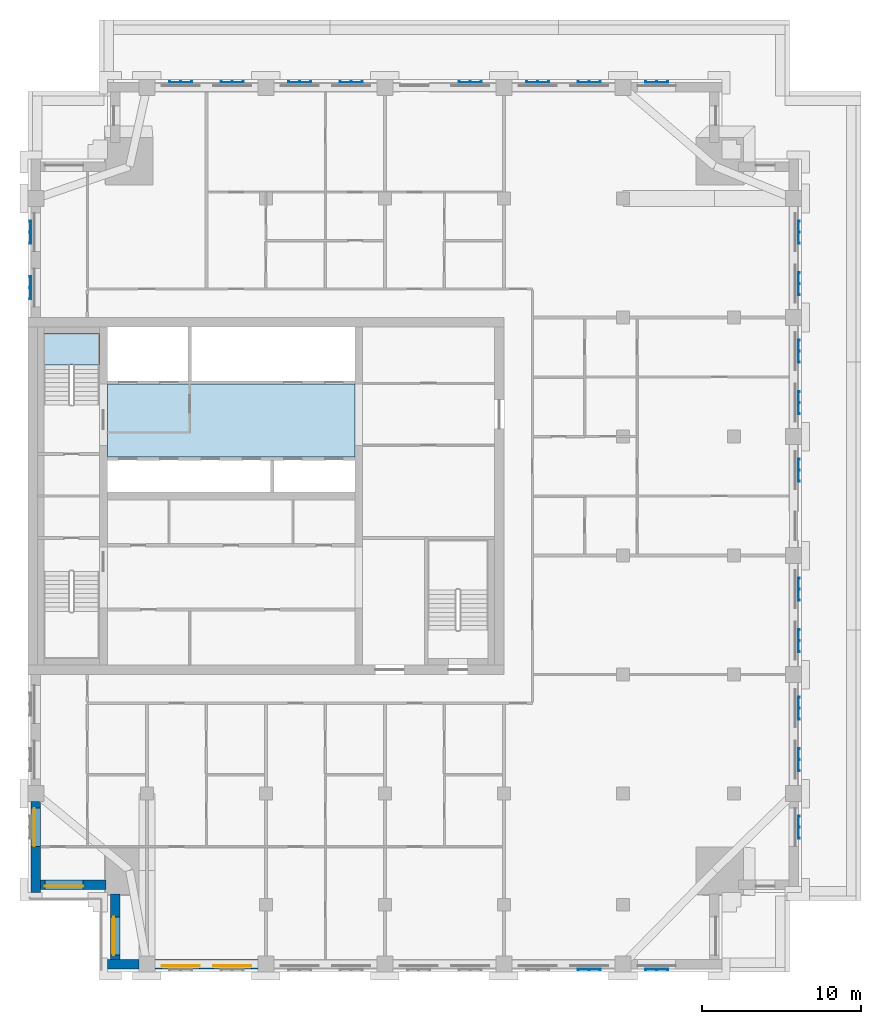
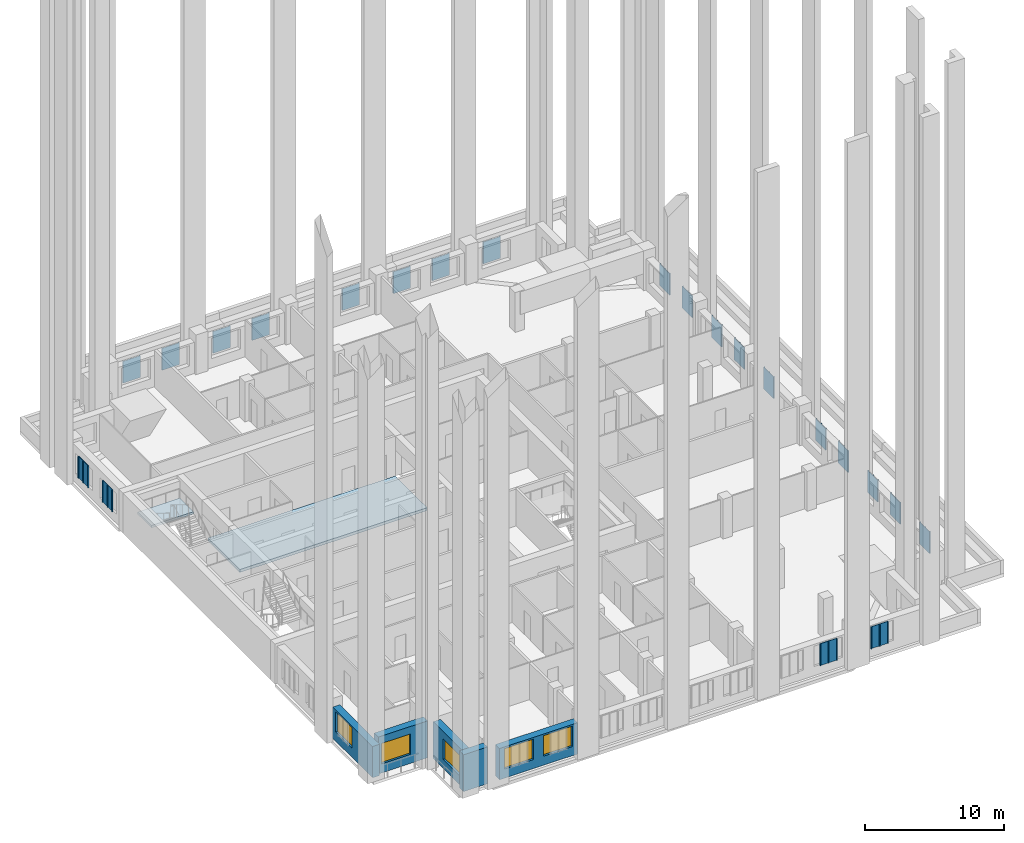
# One storey, part 2 of 12: 22 plates, 5 walls, 5 windows, 2 slabs, 5 openings, 1 element without a shape of its own.
"""IFC4 building model written with IfcOpenShell, lengths in metres."""

from ifc_helpers import new_model, si_unit, direction, frame, frame_2d, origin, place, context, subcontext, project, spatial, polyline, rectangle, outline, extrude, material, layer, layer_set, type_object, element, fill, aggregate, save


model = new_model("IFC4")

# Units and contexts
model_context = context("Model", 3, precision=1e-05, world=origin(), true_north=direction((0.0, 1.0)))
body_context = subcontext(model_context, "Body", "Model", "MODEL_VIEW")
ifc_project = project(units=[si_unit("LENGTHUNIT", "METRE"), si_unit("AREAUNIT", "SQUARE_METRE"), si_unit("VOLUMEUNIT", "CUBIC_METRE"), si_unit("PLANEANGLEUNIT", "RADIAN"), si_unit("MASSUNIT", "GRAM", prefix="KILO")], contexts=[model_context])

# Site, building, storey
site_placement = place(None, origin())
site = spatial("IfcSite", under=ifc_project, at=site_placement, CompositionType="ELEMENT")
building_placement = place(site_placement, origin())
building = spatial("IfcBuilding", under=site, at=building_placement, Name="Tamorin Gate", CompositionType="ELEMENT")
storey_placement = place(building_placement, frame((0.0, 0.0, 219.699951171875)))
storey = spatial("IfcBuildingStorey", under=building, at=storey_placement, Name="L54", CompositionType="ELEMENT", Elevation=219.699951171875)

# Slab
ifc_material_1 = material(Name="Concrete C40/50", Category="concrete")
ifc_layer_1 = layer(ifc_material_1, 0.25)
ifc_layer_set_1 = layer_set([ifc_layer_1], Name="Core floor slab 250 C40/50")
slab_type_1 = type_object("IfcSlabType", Name="Core floor slab 250 C40/50", PredefinedType="FLOOR", material=ifc_layer_set_1)
slab_1_placement = place(storey_placement, frame((0.0, 0.0, -0.25)))
element("IfcSlab", 1, at=slab_1_placement, inside=storey, type_object=slab_type_1, Name="Core floor L54", PredefinedType="FLOOR", context=body_context, shape_type="SweptSolid", body=[
    extrude(outline(polyline([(50.60009765625, 73.699951171875), (35.0, 73.699951171875), (35.0, 78.300048828125), (50.60009765625, 78.300048828125), (50.60009765625, 73.699951171875)])), origin(), (0.0, 0.0, 1.0), 0.25),
])

# Stair, slab
stair_type = type_object("IfcStairType", Name="Exit stair", PredefinedType="HALF_TURN_STAIR", material=ifc_material_1)
stair_placement = place(storey_placement, origin())
stair = element("IfcStair", 2, at=stair_placement, inside=storey, type_object=stair_type, Name="L54 stair ST2", PredefinedType="HALF_TURN_STAIR")
ifc_layer_2 = layer(ifc_material_1, 0.199951171875)
ifc_layer_set_2 = layer_set([ifc_layer_2], Name="Exit stair landing 200")
slab_type_2 = type_object("IfcSlabType", Name="Exit stair landing 200", PredefinedType="LANDING", material=ifc_layer_set_2)
slab_2_placement = place(storey_placement, frame((0.0, 0.0, 1.550048828125)))
slab_2 = element("IfcSlab", 3, at=slab_2_placement, type_object=slab_type_2, Name="ST2 landing 1", PredefinedType="LANDING", context=body_context, shape_type="SweptSolid", body=[
    extrude(outline(polyline([(34.5, 79.52001953125), (34.5, 81.5), (31.0, 81.5), (31.0, 79.52001953125), (34.5, 79.52001953125)])), origin(), (0.0, 0.0, 1.0), 0.199951171875),
])
aggregate(stair, [slab_2])

# Plates
ifc_material_2 = material(Name="Perforated pale aluminium sheet", Category="aluminium")
ifc_layer_3 = layer(ifc_material_2, 0.0400390625)
ifc_layer_set_3 = layer_set([ifc_layer_3], Name="Pale metal solar screen 1440")
plate_type = type_object("IfcPlateType", Name="Pale metal solar screen 1440", PredefinedType="SHEET", material=ifc_layer_set_3)
plate_1_placement = place(storey_placement, frame((0.0, 0.0, 0.737548828125)))
element("IfcPlate", 4, at=plate_1_placement, inside=storey, type_object=plate_type, Name="Perforated solar screen", PredefinedType="SHEET", context=body_context, shape_type="SweptSolid", body=[
    extrude(outline(polyline([(64.655029296875, 41.409912109375), (64.655029296875, 41.449951171875), (64.715087890625, 41.449951171875), (65.344970703125, 41.449951171875), (65.405029296875, 41.449951171875), (66.034912109375, 41.449951171875), (66.094970703125, 41.449951171875), (66.094970703125, 41.409912109375), (66.094970703125, 41.35009765625), (66.034912109375, 41.35009765625), (66.034912109375, 41.409912109375), (65.405029296875, 41.409912109375), (65.405029296875, 41.35009765625), (65.344970703125, 41.35009765625), (65.344970703125, 41.409912109375), (64.715087890625, 41.409912109375), (64.715087890625, 41.35009765625), (64.655029296875, 41.35009765625), (64.655029296875, 41.409912109375)])), origin(), (0.0, 0.0, 1.0), 1.925048828125),
])
plate_2_placement = place(storey_placement, frame((0.0, 0.0, 0.737548828125)))
element("IfcPlate", 5, at=plate_2_placement, inside=storey, type_object=plate_type, Name="Perforated solar screen", PredefinedType="SHEET", context=body_context, shape_type="SweptSolid", body=[
    extrude(outline(polyline([(68.905029296875, 41.409912109375), (68.905029296875, 41.449951171875), (68.965087890625, 41.449951171875), (69.594970703125, 41.449951171875), (69.655029296875, 41.449951171875), (70.284912109375, 41.449951171875), (70.344970703125, 41.449951171875), (70.344970703125, 41.409912109375), (70.344970703125, 41.35009765625), (70.284912109375, 41.35009765625), (70.284912109375, 41.409912109375), (69.655029296875, 41.409912109375), (69.655029296875, 41.35009765625), (69.594970703125, 41.35009765625), (69.594970703125, 41.409912109375), (68.965087890625, 41.409912109375), (68.965087890625, 41.35009765625), (68.905029296875, 41.35009765625), (68.905029296875, 41.409912109375)])), origin(), (0.0, 0.0, 1.0), 1.925048828125),
])
plate_3_placement = place(storey_placement, frame((0.0, 0.0, 0.737548828125)))
element("IfcPlate", 6, at=plate_3_placement, inside=storey, type_object=plate_type, Name="Perforated solar screen", PredefinedType="SHEET", context=body_context, shape_type="SweptSolid", body=[
    extrude(outline(polyline([(78.590087890625, 49.655029296875), (78.550048828125, 49.655029296875), (78.550048828125, 49.715087890625), (78.550048828125, 50.344970703125), (78.550048828125, 50.405029296875), (78.550048828125, 51.034912109375), (78.550048828125, 51.094970703125), (78.550048828125, 51.094970703125), (78.590087890625, 51.094970703125), (78.590087890625, 51.094970703125), (78.64990234375, 51.094970703125), (78.64990234375, 51.034912109375), (78.590087890625, 51.034912109375), (78.590087890625, 50.405029296875), (78.64990234375, 50.405029296875), (78.64990234375, 50.344970703125), (78.590087890625, 50.344970703125), (78.590087890625, 49.715087890625), (78.64990234375, 49.715087890625), (78.64990234375, 49.655029296875), (78.590087890625, 49.655029296875)])), origin(), (0.0, 0.0, 1.0), 1.925048828125),
])
plate_4_placement = place(storey_placement, frame((0.0, 0.0, 0.737548828125)))
element("IfcPlate", 7, at=plate_4_placement, inside=storey, type_object=plate_type, Name="Perforated solar screen", PredefinedType="SHEET", context=body_context, shape_type="SweptSolid", body=[
    extrude(outline(polyline([(78.590087890625, 53.905029296875), (78.550048828125, 53.905029296875), (78.550048828125, 53.965087890625), (78.550048828125, 54.594970703125), (78.550048828125, 54.655029296875), (78.550048828125, 55.284912109375), (78.550048828125, 55.344970703125), (78.590087890625, 55.344970703125), (78.64990234375, 55.344970703125), (78.64990234375, 55.284912109375), (78.590087890625, 55.284912109375), (78.590087890625, 54.655029296875), (78.64990234375, 54.655029296875), (78.64990234375, 54.594970703125), (78.590087890625, 54.594970703125), (78.590087890625, 53.965087890625), (78.64990234375, 53.965087890625), (78.64990234375, 53.905029296875), (78.590087890625, 53.905029296875)])), origin(), (0.0, 0.0, 1.0), 1.925048828125),
])
plate_5_placement = place(storey_placement, frame((0.0, 0.0, 0.737548828125)))
element("IfcPlate", 8, at=plate_5_placement, inside=storey, type_object=plate_type, Name="Perforated solar screen", PredefinedType="SHEET", context=body_context, shape_type="SweptSolid", body=[
    extrude(outline(polyline([(78.590087890625, 57.155029296875), (78.550048828125, 57.155029296875), (78.550048828125, 57.215087890625), (78.550048828125, 57.844970703125), (78.550048828125, 57.905029296875), (78.550048828125, 58.534912109375), (78.550048828125, 58.594970703125), (78.590087890625, 58.594970703125), (78.64990234375, 58.594970703125), (78.64990234375, 58.534912109375), (78.590087890625, 58.534912109375), (78.590087890625, 57.905029296875), (78.64990234375, 57.905029296875), (78.64990234375, 57.844970703125), (78.590087890625, 57.844970703125), (78.590087890625, 57.215087890625), (78.64990234375, 57.215087890625), (78.64990234375, 57.155029296875), (78.590087890625, 57.155029296875)])), origin(), (0.0, 0.0, 1.0), 1.925048828125),
])
plate_6_placement = place(storey_placement, frame((0.0, 0.0, 0.737548828125)))
element("IfcPlate", 9, at=plate_6_placement, inside=storey, type_object=plate_type, Name="Perforated solar screen", PredefinedType="SHEET", context=body_context, shape_type="SweptSolid", body=[
    extrude(outline(polyline([(78.590087890625, 61.405029296875), (78.550048828125, 61.405029296875), (78.550048828125, 61.465087890625), (78.550048828125, 62.094970703125), (78.550048828125, 62.155029296875), (78.550048828125, 62.784912109375), (78.550048828125, 62.844970703125), (78.590087890625, 62.844970703125), (78.64990234375, 62.844970703125), (78.64990234375, 62.784912109375), (78.590087890625, 62.784912109375), (78.590087890625, 62.155029296875), (78.64990234375, 62.155029296875), (78.64990234375, 62.094970703125), (78.590087890625, 62.094970703125), (78.590087890625, 61.465087890625), (78.64990234375, 61.465087890625), (78.64990234375, 61.405029296875), (78.590087890625, 61.405029296875)])), origin(), (0.0, 0.0, 1.0), 1.925048828125),
])
plate_7_placement = place(storey_placement, frame((0.0, 0.0, 0.737548828125)))
element("IfcPlate", 10, at=plate_7_placement, inside=storey, type_object=plate_type, Name="Perforated solar screen", PredefinedType="SHEET", context=body_context, shape_type="SweptSolid", body=[
    extrude(outline(polyline([(78.590087890625, 64.655029296875), (78.550048828125, 64.655029296875), (78.550048828125, 64.715087890625), (78.550048828125, 65.344970703125), (78.550048828125, 65.405029296875), (78.550048828125, 66.034912109375), (78.550048828125, 66.094970703125), (78.590087890625, 66.094970703125), (78.64990234375, 66.094970703125), (78.64990234375, 66.034912109375), (78.590087890625, 66.034912109375), (78.590087890625, 65.405029296875), (78.64990234375, 65.405029296875), (78.64990234375, 65.344970703125), (78.590087890625, 65.344970703125), (78.590087890625, 64.715087890625), (78.64990234375, 64.715087890625), (78.64990234375, 64.655029296875), (78.590087890625, 64.655029296875)])), origin(), (0.0, 0.0, 1.0), 1.925048828125),
])
plate_8_placement = place(storey_placement, frame((0.0, 0.0, 0.737548828125)))
element("IfcPlate", 11, at=plate_8_placement, inside=storey, type_object=plate_type, Name="Perforated solar screen", PredefinedType="SHEET", context=body_context, shape_type="SweptSolid", body=[
    extrude(outline(polyline([(78.590087890625, 72.155029296875), (78.550048828125, 72.155029296875), (78.550048828125, 72.215087890625), (78.550048828125, 72.844970703125), (78.550048828125, 72.905029296875), (78.550048828125, 73.534912109375), (78.550048828125, 73.594970703125), (78.590087890625, 73.594970703125), (78.64990234375, 73.594970703125), (78.64990234375, 73.534912109375), (78.590087890625, 73.534912109375), (78.590087890625, 72.905029296875), (78.64990234375, 72.905029296875), (78.64990234375, 72.844970703125), (78.590087890625, 72.844970703125), (78.590087890625, 72.215087890625), (78.64990234375, 72.215087890625), (78.64990234375, 72.155029296875), (78.590087890625, 72.155029296875)])), origin(), (0.0, 0.0, 1.0), 1.925048828125),
])
plate_9_placement = place(storey_placement, frame((0.0, 0.0, 0.737548828125)))
element("IfcPlate", 12, at=plate_9_placement, inside=storey, type_object=plate_type, Name="Perforated solar screen", PredefinedType="SHEET", context=body_context, shape_type="SweptSolid", body=[
    extrude(outline(polyline([(78.590087890625, 76.405029296875), (78.550048828125, 76.405029296875), (78.550048828125, 76.465087890625), (78.550048828125, 77.094970703125), (78.550048828125, 77.155029296875), (78.550048828125, 77.784912109375), (78.550048828125, 77.844970703125), (78.590087890625, 77.844970703125), (78.64990234375, 77.844970703125), (78.64990234375, 77.784912109375), (78.590087890625, 77.784912109375), (78.590087890625, 77.155029296875), (78.64990234375, 77.155029296875), (78.64990234375, 77.094970703125), (78.590087890625, 77.094970703125), (78.590087890625, 76.465087890625), (78.64990234375, 76.465087890625), (78.64990234375, 76.405029296875), (78.590087890625, 76.405029296875)])), origin(), (0.0, 0.0, 1.0), 1.925048828125),
])
plate_10_placement = place(storey_placement, frame((0.0, 0.0, 0.737548828125)))
element("IfcPlate", 13, at=plate_10_placement, inside=storey, type_object=plate_type, Name="Perforated solar screen", PredefinedType="SHEET", context=body_context, shape_type="SweptSolid", body=[
    extrude(outline(polyline([(78.590087890625, 79.655029296875), (78.550048828125, 79.655029296875), (78.550048828125, 79.715087890625), (78.550048828125, 80.344970703125), (78.550048828125, 80.405029296875), (78.550048828125, 81.034912109375), (78.550048828125, 81.094970703125), (78.590087890625, 81.094970703125), (78.64990234375, 81.094970703125), (78.64990234375, 81.034912109375), (78.590087890625, 81.034912109375), (78.590087890625, 80.405029296875), (78.64990234375, 80.405029296875), (78.64990234375, 80.344970703125), (78.590087890625, 80.344970703125), (78.590087890625, 79.715087890625), (78.64990234375, 79.715087890625), (78.64990234375, 79.655029296875), (78.590087890625, 79.655029296875)])), origin(), (0.0, 0.0, 1.0), 1.925048828125),
])
plate_11_placement = place(storey_placement, frame((0.0, 0.0, 0.737548828125)))
element("IfcPlate", 14, at=plate_11_placement, inside=storey, type_object=plate_type, Name="Perforated solar screen", PredefinedType="SHEET", context=body_context, shape_type="SweptSolid", body=[
    extrude(outline(polyline([(78.590087890625, 83.905029296875), (78.550048828125, 83.905029296875), (78.550048828125, 83.965087890625), (78.550048828125, 84.594970703125), (78.550048828125, 84.655029296875), (78.550048828125, 85.284912109375), (78.550048828125, 85.344970703125), (78.590087890625, 85.344970703125), (78.64990234375, 85.344970703125), (78.64990234375, 85.284912109375), (78.590087890625, 85.284912109375), (78.590087890625, 84.655029296875), (78.64990234375, 84.655029296875), (78.64990234375, 84.594970703125), (78.590087890625, 84.594970703125), (78.590087890625, 83.965087890625), (78.64990234375, 83.965087890625), (78.64990234375, 83.905029296875), (78.590087890625, 83.905029296875)])), origin(), (0.0, 0.0, 1.0), 1.925048828125),
])
plate_12_placement = place(storey_placement, frame((0.0, 0.0, 0.737548828125)))
element("IfcPlate", 15, at=plate_12_placement, inside=storey, type_object=plate_type, Name="Perforated solar screen", PredefinedType="SHEET", context=body_context, shape_type="SweptSolid", body=[
    extrude(outline(polyline([(78.590087890625, 87.155029296875), (78.550048828125, 87.155029296875), (78.550048828125, 87.215087890625), (78.550048828125, 87.844970703125), (78.550048828125, 87.905029296875), (78.550048828125, 88.534912109375), (78.550048828125, 88.594970703125), (78.590087890625, 88.594970703125), (78.64990234375, 88.594970703125), (78.64990234375, 88.534912109375), (78.590087890625, 88.534912109375), (78.590087890625, 87.905029296875), (78.64990234375, 87.905029296875), (78.64990234375, 87.844970703125), (78.590087890625, 87.844970703125), (78.590087890625, 87.215087890625), (78.64990234375, 87.215087890625), (78.64990234375, 87.155029296875), (78.590087890625, 87.155029296875)])), origin(), (0.0, 0.0, 1.0), 1.925048828125),
])
plate_13_placement = place(storey_placement, frame((0.0, 0.0, 0.737548828125)))
element("IfcPlate", 16, at=plate_13_placement, inside=storey, type_object=plate_type, Name="Perforated solar screen", PredefinedType="SHEET", context=body_context, shape_type="SweptSolid", body=[
    extrude(outline(polyline([(70.344970703125, 97.340087890625), (70.344970703125, 97.300048828125), (70.284912109375, 97.300048828125), (69.655029296875, 97.300048828125), (69.594970703125, 97.300048828125), (68.965087890625, 97.300048828125), (68.905029296875, 97.300048828125), (68.905029296875, 97.300048828125), (68.905029296875, 97.340087890625), (68.905029296875, 97.340087890625), (68.905029296875, 97.39990234375), (68.965087890625, 97.39990234375), (68.965087890625, 97.340087890625), (69.594970703125, 97.340087890625), (69.594970703125, 97.39990234375), (69.655029296875, 97.39990234375), (69.655029296875, 97.340087890625), (70.284912109375, 97.340087890625), (70.284912109375, 97.39990234375), (70.344970703125, 97.39990234375), (70.344970703125, 97.340087890625)])), origin(), (0.0, 0.0, 1.0), 1.925048828125),
])
plate_14_placement = place(storey_placement, frame((0.0, 0.0, 0.737548828125)))
element("IfcPlate", 17, at=plate_14_placement, inside=storey, type_object=plate_type, Name="Perforated solar screen", PredefinedType="SHEET", context=body_context, shape_type="SweptSolid", body=[
    extrude(outline(polyline([(62.844970703125, 97.340087890625), (62.844970703125, 97.300048828125), (62.784912109375, 97.300048828125), (62.155029296875, 97.300048828125), (62.094970703125, 97.300048828125), (61.465087890625, 97.300048828125), (61.405029296875, 97.300048828125), (61.405029296875, 97.340087890625), (61.405029296875, 97.39990234375), (61.465087890625, 97.39990234375), (61.465087890625, 97.340087890625), (62.094970703125, 97.340087890625), (62.094970703125, 97.39990234375), (62.155029296875, 97.39990234375), (62.155029296875, 97.340087890625), (62.784912109375, 97.340087890625), (62.784912109375, 97.39990234375), (62.844970703125, 97.39990234375), (62.844970703125, 97.340087890625)])), origin(), (0.0, 0.0, 1.0), 1.925048828125),
])
plate_15_placement = place(storey_placement, frame((0.0, 0.0, 0.737548828125)))
element("IfcPlate", 18, at=plate_15_placement, inside=storey, type_object=plate_type, Name="Perforated solar screen", PredefinedType="SHEET", context=body_context, shape_type="SweptSolid", body=[
    extrude(outline(polyline([(66.094970703125, 97.340087890625), (66.094970703125, 97.300048828125), (66.034912109375, 97.300048828125), (65.405029296875, 97.300048828125), (65.344970703125, 97.300048828125), (64.715087890625, 97.300048828125), (64.655029296875, 97.300048828125), (64.655029296875, 97.340087890625), (64.655029296875, 97.39990234375), (64.715087890625, 97.39990234375), (64.715087890625, 97.340087890625), (65.344970703125, 97.340087890625), (65.344970703125, 97.39990234375), (65.405029296875, 97.39990234375), (65.405029296875, 97.340087890625), (66.034912109375, 97.340087890625), (66.034912109375, 97.39990234375), (66.094970703125, 97.39990234375), (66.094970703125, 97.340087890625)])), origin(), (0.0, 0.0, 1.0), 1.925048828125),
])
plate_16_placement = place(storey_placement, frame((0.0, 0.0, 0.737548828125)))
element("IfcPlate", 19, at=plate_16_placement, inside=storey, type_object=plate_type, Name="Perforated solar screen", PredefinedType="SHEET", context=body_context, shape_type="SweptSolid", body=[
    extrude(outline(polyline([(58.594970703125, 97.340087890625), (58.594970703125, 97.300048828125), (58.534912109375, 97.300048828125), (57.905029296875, 97.300048828125), (57.844970703125, 97.300048828125), (57.215087890625, 97.300048828125), (57.155029296875, 97.300048828125), (57.155029296875, 97.340087890625), (57.155029296875, 97.39990234375), (57.215087890625, 97.39990234375), (57.215087890625, 97.340087890625), (57.844970703125, 97.340087890625), (57.844970703125, 97.39990234375), (57.905029296875, 97.39990234375), (57.905029296875, 97.340087890625), (58.534912109375, 97.340087890625), (58.534912109375, 97.39990234375), (58.594970703125, 97.39990234375), (58.594970703125, 97.340087890625)])), origin(), (0.0, 0.0, 1.0), 1.925048828125),
])
plate_17_placement = place(storey_placement, frame((0.0, 0.0, 0.737548828125)))
element("IfcPlate", 20, at=plate_17_placement, inside=storey, type_object=plate_type, Name="Perforated solar screen", PredefinedType="SHEET", context=body_context, shape_type="SweptSolid", body=[
    extrude(outline(polyline([(47.844970703125, 97.340087890625), (47.844970703125, 97.300048828125), (47.784912109375, 97.300048828125), (47.155029296875, 97.300048828125), (47.094970703125, 97.300048828125), (46.465087890625, 97.300048828125), (46.405029296875, 97.300048828125), (46.405029296875, 97.340087890625), (46.405029296875, 97.39990234375), (46.465087890625, 97.39990234375), (46.465087890625, 97.340087890625), (47.094970703125, 97.340087890625), (47.094970703125, 97.39990234375), (47.155029296875, 97.39990234375), (47.155029296875, 97.340087890625), (47.784912109375, 97.340087890625), (47.784912109375, 97.39990234375), (47.844970703125, 97.39990234375), (47.844970703125, 97.340087890625)])), origin(), (0.0, 0.0, 1.0), 1.925048828125),
])
plate_18_placement = place(storey_placement, frame((0.0, 0.0, 0.737548828125)))
element("IfcPlate", 21, at=plate_18_placement, inside=storey, type_object=plate_type, Name="Perforated solar screen", PredefinedType="SHEET", context=body_context, shape_type="SweptSolid", body=[
    extrude(outline(polyline([(51.094970703125, 97.340087890625), (51.094970703125, 97.300048828125), (51.034912109375, 97.300048828125), (50.405029296875, 97.300048828125), (50.344970703125, 97.300048828125), (49.715087890625, 97.300048828125), (49.655029296875, 97.300048828125), (49.655029296875, 97.340087890625), (49.655029296875, 97.39990234375), (49.715087890625, 97.39990234375), (49.715087890625, 97.340087890625), (50.344970703125, 97.340087890625), (50.344970703125, 97.39990234375), (50.405029296875, 97.39990234375), (50.405029296875, 97.340087890625), (51.034912109375, 97.340087890625), (51.034912109375, 97.39990234375), (51.094970703125, 97.39990234375), (51.094970703125, 97.340087890625)])), origin(), (0.0, 0.0, 1.0), 1.925048828125),
])
plate_19_placement = place(storey_placement, frame((0.0, 0.0, 0.737548828125)))
element("IfcPlate", 22, at=plate_19_placement, inside=storey, type_object=plate_type, Name="Perforated solar screen", PredefinedType="SHEET", context=body_context, shape_type="SweptSolid", body=[
    extrude(outline(polyline([(40.344970703125, 97.340087890625), (40.344970703125, 97.300048828125), (40.284912109375, 97.300048828125), (39.655029296875, 97.300048828125), (39.594970703125, 97.300048828125), (38.965087890625, 97.300048828125), (38.905029296875, 97.300048828125), (38.905029296875, 97.340087890625), (38.905029296875, 97.39990234375), (38.965087890625, 97.39990234375), (38.965087890625, 97.340087890625), (39.594970703125, 97.340087890625), (39.594970703125, 97.39990234375), (39.655029296875, 97.39990234375), (39.655029296875, 97.340087890625), (40.284912109375, 97.340087890625), (40.284912109375, 97.39990234375), (40.344970703125, 97.39990234375), (40.344970703125, 97.340087890625)])), origin(), (0.0, 0.0, 1.0), 1.925048828125),
])
plate_20_placement = place(storey_placement, frame((0.0, 0.0, 0.737548828125)))
element("IfcPlate", 23, at=plate_20_placement, inside=storey, type_object=plate_type, Name="Perforated solar screen", PredefinedType="SHEET", context=body_context, shape_type="SweptSolid", body=[
    extrude(outline(polyline([(43.594970703125, 97.340087890625), (43.594970703125, 97.300048828125), (43.534912109375, 97.300048828125), (42.905029296875, 97.300048828125), (42.844970703125, 97.300048828125), (42.215087890625, 97.300048828125), (42.155029296875, 97.300048828125), (42.155029296875, 97.340087890625), (42.155029296875, 97.39990234375), (42.215087890625, 97.39990234375), (42.215087890625, 97.340087890625), (42.844970703125, 97.340087890625), (42.844970703125, 97.39990234375), (42.905029296875, 97.39990234375), (42.905029296875, 97.340087890625), (43.534912109375, 97.340087890625), (43.534912109375, 97.39990234375), (43.594970703125, 97.39990234375), (43.594970703125, 97.340087890625)])), origin(), (0.0, 0.0, 1.0), 1.925048828125),
])
plate_21_placement = place(storey_placement, frame((0.0, 0.0, 0.737548828125)))
element("IfcPlate", 24, at=plate_21_placement, inside=storey, type_object=plate_type, Name="Perforated solar screen", PredefinedType="SHEET", context=body_context, shape_type="SweptSolid", body=[
    extrude(outline(polyline([(30.159912109375, 85.094970703125), (30.199951171875, 85.094970703125), (30.199951171875, 85.034912109375), (30.199951171875, 84.405029296875), (30.199951171875, 84.344970703125), (30.199951171875, 83.715087890625), (30.199951171875, 83.655029296875), (30.159912109375, 83.655029296875), (30.10009765625, 83.655029296875), (30.10009765625, 83.715087890625), (30.159912109375, 83.715087890625), (30.159912109375, 84.344970703125), (30.10009765625, 84.344970703125), (30.10009765625, 84.405029296875), (30.159912109375, 84.405029296875), (30.159912109375, 85.034912109375), (30.10009765625, 85.034912109375), (30.10009765625, 85.094970703125), (30.159912109375, 85.094970703125)])), origin(), (0.0, 0.0, 1.0), 1.925048828125),
])
plate_22_placement = place(storey_placement, frame((0.0, 0.0, 0.737548828125)))
element("IfcPlate", 25, at=plate_22_placement, inside=storey, type_object=plate_type, Name="Perforated solar screen", PredefinedType="SHEET", context=body_context, shape_type="SweptSolid", body=[
    extrude(outline(polyline([(30.159912109375, 88.594970703125), (30.199951171875, 88.594970703125), (30.199951171875, 88.534912109375), (30.199951171875, 87.905029296875), (30.199951171875, 87.844970703125), (30.199951171875, 87.215087890625), (30.199951171875, 87.155029296875), (30.199951171875, 87.155029296875), (30.159912109375, 87.155029296875), (30.159912109375, 87.155029296875), (30.10009765625, 87.155029296875), (30.10009765625, 87.215087890625), (30.159912109375, 87.215087890625), (30.159912109375, 87.844970703125), (30.10009765625, 87.844970703125), (30.10009765625, 87.905029296875), (30.159912109375, 87.905029296875), (30.159912109375, 88.534912109375), (30.10009765625, 88.534912109375), (30.10009765625, 88.594970703125), (30.159912109375, 88.594970703125)])), origin(), (0.0, 0.0, 1.0), 1.925048828125),
])

# Wall
ifc_material_3 = material(Name="Precast concrete C40/50", Category="concrete")
ifc_layer_4 = layer(ifc_material_3, 0.60009765625)
ifc_layer_set_4 = layer_set([ifc_layer_4], Name="Precast concrete C40/50")
wall_type = type_object("IfcWallType", Name="Board-marked concrete facade panel 600", PredefinedType="SOLIDWALL", material=ifc_layer_set_4)
wall_1_placement = place(storey_placement, frame((35.0, 41.75, 0.0), z_axis=(0.0, 0.0, 1.0), x_axis=(1.0, 0.0, 0.0)))
element("IfcWall", 26, at=wall_1_placement, inside=storey, type_object=wall_type, Name="Facade panel", PredefinedType="SOLIDWALL", context=body_context, shape_type="SweptSolid", body=[
    extrude(rectangle(XDim=2.0, YDim=0.60009765625, at=frame_2d((1.0, 0.0))), origin(), (0.0, 0.0, 1.0), 3.25),
])

# Wall, openings, windows
wall_2_placement = place(storey_placement, frame((38.0, 41.75, 0.0), z_axis=(0.0, 0.0, 1.0), x_axis=(1.0, 0.0, 0.0)))
wall_2 = element("IfcWall", 27, at=wall_2_placement, inside=storey, type_object=wall_type, Name="Facade panel", PredefinedType="SOLIDWALL", context=body_context, shape_type="SweptSolid", body=[
    extrude(rectangle(XDim=6.5, YDim=0.60009765625, at=frame_2d((3.25, 0.0))), origin(), (0.0, 0.0, 1.0), 2.75),
])
opening_1_placement = place(wall_2_placement, frame((0.425048828125, 0.0, 0.800048828125)))
opening_1 = element("IfcOpeningElement", 28, at=opening_1_placement, cuts=wall_2, Name="Opening WN1", PredefinedType="OPENING", context=body_context, shape_type="SweptSolid", body=[
    extrude(rectangle(XDim=2.39990234375, YDim=1.800048828125, at=frame_2d((1.199951171875, 0.89990234375))), frame((0.0, 0.31005859375, 0.0), z_axis=(0.0, -1.0, 0.0), x_axis=(1.0, 0.0, 0.0)), (0.0, 0.0, 1.0), 0.6201171875),
])
opening_2_placement = place(wall_2_placement, frame((3.675048828125, 0.0, 0.800048828125)))
opening_2 = element("IfcOpeningElement", 29, at=opening_2_placement, cuts=wall_2, Name="Opening WN1", PredefinedType="OPENING", context=body_context, shape_type="SweptSolid", body=[
    extrude(rectangle(XDim=2.39990234375, YDim=1.800048828125, at=frame_2d((1.199951171875, 0.89990234375))), frame((0.0, 0.31005859375, 0.0), z_axis=(0.0, -1.0, 0.0), x_axis=(1.0, 0.0, 0.0)), (0.0, 0.0, 1.0), 0.6201171875),
])
ifc_material_4 = material(Name="Clear glass in aluminium frame", Category="aluminium")
window_type = type_object("IfcWindowType", Name="Deep-set window 2400x1800", PartitioningType="SINGLE_PANEL", PredefinedType="WINDOW", material=ifc_material_4)
window_1_placement = place(opening_1_placement, origin())
window_1 = element("IfcWindow", 30, at=window_1_placement, inside=storey, type_object=window_type, Name="Deep-set window", OverallHeight=1.800048828125, OverallWidth=2.39990234375, PartitioningType="SINGLE_PANEL", PredefinedType="WINDOW", context=body_context, shape_type="SweptSolid", body=[
    extrude(rectangle(XDim=2.39990234375, YDim=1.800048828125, at=frame_2d((1.199951171875, 0.89990234375))), frame((0.0, -0.070068359375, 0.0), z_axis=(0.0, -1.0, 0.0), x_axis=(1.0, 0.0, 0.0)), (0.0, 0.0, 1.0), 0.06005859375),
])
fill(opening_1, window_1)
window_2_placement = place(opening_2_placement, origin())
window_2 = element("IfcWindow", 31, at=window_2_placement, inside=storey, type_object=window_type, Name="Deep-set window", OverallHeight=1.800048828125, OverallWidth=2.39990234375, PartitioningType="SINGLE_PANEL", PredefinedType="WINDOW", context=body_context, shape_type="SweptSolid", body=[
    extrude(rectangle(XDim=2.39990234375, YDim=1.800048828125, at=frame_2d((1.199951171875, 0.89990234375))), frame((0.0, -0.070068359375, 0.0), z_axis=(0.0, -1.0, 0.0), x_axis=(1.0, 0.0, 0.0)), (0.0, 0.0, 1.0), 0.06005859375),
])
fill(opening_2, window_2)

# Wall, opening, window
wall_3_placement = place(storey_placement, frame((30.5, 52.0, 0.0), z_axis=(0.0, 0.0, 1.0), x_axis=(0.0, -1.0, 0.0)))
wall_3 = element("IfcWall", 32, at=wall_3_placement, inside=storey, type_object=wall_type, Name="Facade panel", PredefinedType="SOLIDWALL", context=body_context, shape_type="SweptSolid", body=[
    extrude(rectangle(XDim=5.75, YDim=0.60009765625, at=frame_2d((2.875, 0.0))), origin(), (0.0, 0.0, 1.0), 2.75),
])
opening_3_placement = place(wall_3_placement, frame((0.425048828125, 0.0, 0.800048828125)))
opening_3 = element("IfcOpeningElement", 33, at=opening_3_placement, cuts=wall_3, Name="Opening WN1", PredefinedType="OPENING", context=body_context, shape_type="SweptSolid", body=[
    extrude(rectangle(XDim=2.39990234375, YDim=1.800048828125, at=frame_2d((1.199951171875, 0.89990234375))), frame((0.0, 0.31005859375, 0.0), z_axis=(0.0, -1.0, 0.0), x_axis=(1.0, 0.0, 0.0)), (0.0, 0.0, 1.0), 0.6201171875),
])
window_3_placement = place(opening_3_placement, origin())
window_3 = element("IfcWindow", 34, at=window_3_placement, inside=storey, type_object=window_type, Name="Deep-set window", OverallHeight=1.800048828125, OverallWidth=2.39990234375, PartitioningType="SINGLE_PANEL", PredefinedType="WINDOW", context=body_context, shape_type="SweptSolid", body=[
    extrude(rectangle(XDim=2.39990234375, YDim=1.800048828125, at=frame_2d((1.199951171875, 0.89990234375))), frame((0.0, -0.070068359375, 0.0), z_axis=(0.0, -1.0, 0.0), x_axis=(1.0, 0.0, 0.0)), (0.0, 0.0, 1.0), 0.06005859375),
])
fill(opening_3, window_3)

wall_4_placement = place(storey_placement, frame((30.800048828125, 46.75, 0.0), z_axis=(0.0, 0.0, 1.0), x_axis=(1.0, 0.0, 0.0)))
wall_4 = element("IfcWall", 35, at=wall_4_placement, inside=storey, type_object=wall_type, Name="Facade panel", PredefinedType="SOLIDWALL", context=body_context, shape_type="SweptSolid", body=[
    extrude(rectangle(XDim=4.106201171875, YDim=0.60009765625, at=frame_2d((2.05322265625, 0.0))), origin(), (0.0, 0.0, 1.0), 3.25),
])
opening_4_placement = place(wall_4_placement, frame((0.27490234375, 0.0, 0.800048828125)))
opening_4 = element("IfcOpeningElement", 36, at=opening_4_placement, cuts=wall_4, Name="Opening WN1", PredefinedType="OPENING", context=body_context, shape_type="SweptSolid", body=[
    extrude(rectangle(XDim=2.39990234375, YDim=1.800048828125, at=frame_2d((1.199951171875, 0.89990234375))), frame((0.0, 0.31005859375, 0.0), z_axis=(0.0, -1.0, 0.0), x_axis=(1.0, 0.0, 0.0)), (0.0, 0.0, 1.0), 0.6201171875),
])
window_4_placement = place(opening_4_placement, origin())
window_4 = element("IfcWindow", 37, at=window_4_placement, inside=storey, type_object=window_type, Name="Deep-set window", OverallHeight=1.800048828125, OverallWidth=2.39990234375, PartitioningType="SINGLE_PANEL", PredefinedType="WINDOW", context=body_context, shape_type="SweptSolid", body=[
    extrude(rectangle(XDim=2.39990234375, YDim=1.800048828125, at=frame_2d((1.199951171875, 0.89990234375))), frame((0.0, -0.070068359375, 0.0), z_axis=(0.0, -1.0, 0.0), x_axis=(1.0, 0.0, 0.0)), (0.0, 0.0, 1.0), 0.06005859375),
])
fill(opening_4, window_4)

wall_5_placement = place(storey_placement, frame((35.5, 46.15625, 0.0), z_axis=(0.0, 0.0, 1.0), x_axis=(0.0, -1.0, 0.0)))
wall_5 = element("IfcWall", 38, at=wall_5_placement, inside=storey, type_object=wall_type, Name="Facade panel", PredefinedType="SOLIDWALL", context=body_context, shape_type="SweptSolid", body=[
    extrude(rectangle(XDim=4.106201171875, YDim=0.60009765625, at=frame_2d((2.05322265625, 0.0))), origin(), (0.0, 0.0, 1.0), 3.25),
])
opening_5_placement = place(wall_5_placement, frame((1.43115234375, 0.0, 0.800048828125)))
opening_5 = element("IfcOpeningElement", 39, at=opening_5_placement, cuts=wall_5, Name="Opening WN1", PredefinedType="OPENING", context=body_context, shape_type="SweptSolid", body=[
    extrude(rectangle(XDim=2.39990234375, YDim=1.800048828125, at=frame_2d((1.199951171875, 0.89990234375))), frame((0.0, 0.31005859375, 0.0), z_axis=(0.0, -1.0, 0.0), x_axis=(1.0, 0.0, 0.0)), (0.0, 0.0, 1.0), 0.6201171875),
])
window_5_placement = place(opening_5_placement, origin())
window_5 = element("IfcWindow", 40, at=window_5_placement, inside=storey, type_object=window_type, Name="Deep-set window", OverallHeight=1.800048828125, OverallWidth=2.39990234375, PartitioningType="SINGLE_PANEL", PredefinedType="WINDOW", context=body_context, shape_type="SweptSolid", body=[
    extrude(rectangle(XDim=2.39990234375, YDim=1.800048828125, at=frame_2d((1.199951171875, 0.89990234375))), frame((0.0, -0.070068359375, 0.0), z_axis=(0.0, -1.0, 0.0), x_axis=(1.0, 0.0, 0.0)), (0.0, 0.0, 1.0), 0.06005859375),
])
fill(opening_5, window_5)

save(model, "model.ifc")
